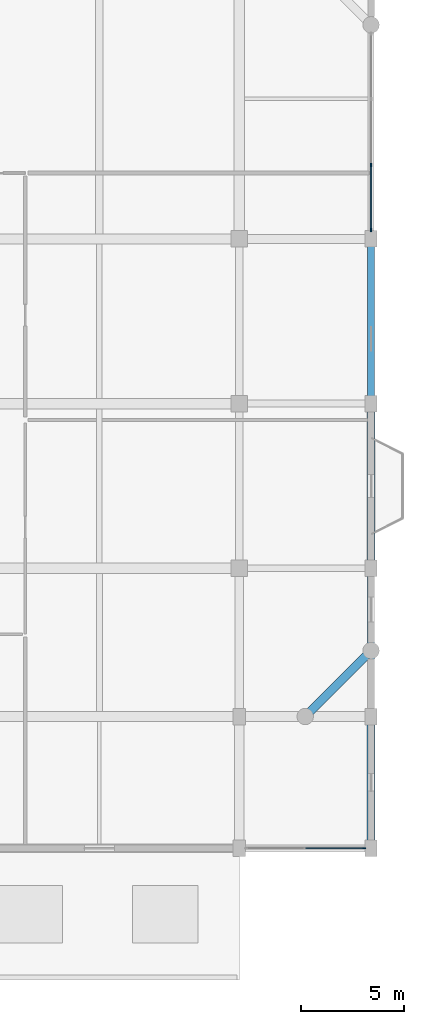
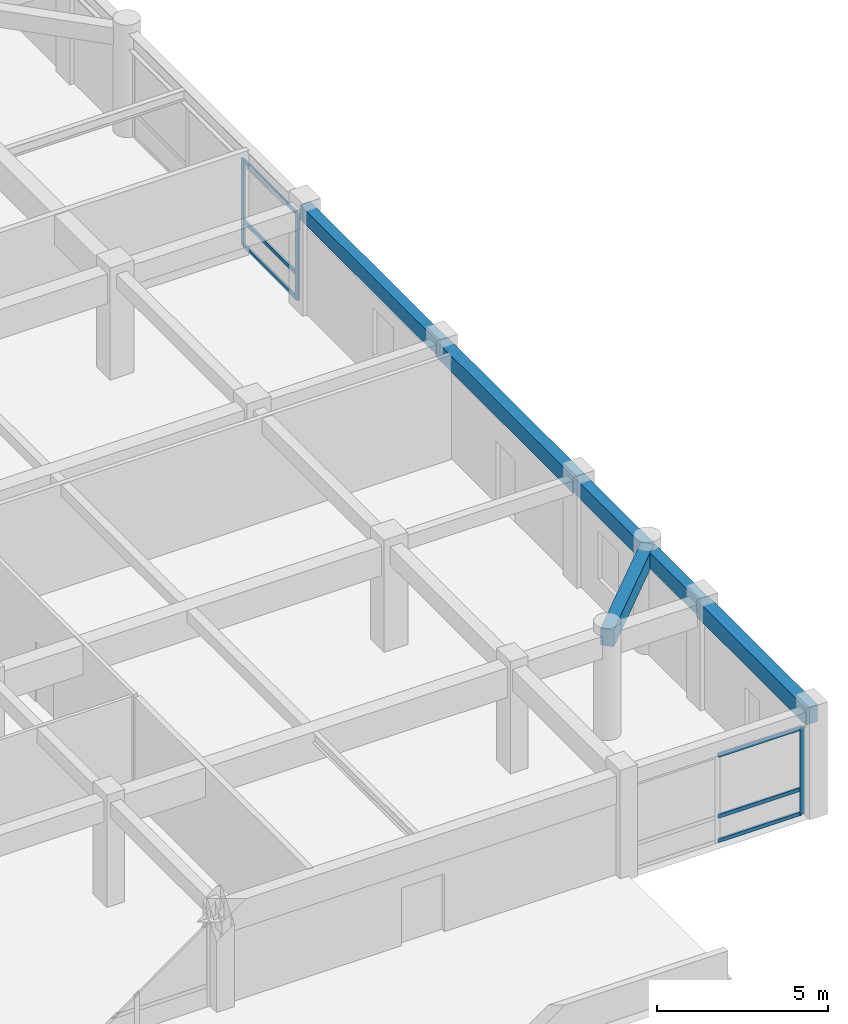
# One storey, part 12 of 20: 9 members, 5 beams, 2 elements without a shape of their own.
"""IFC4 building model written with IfcOpenShell, lengths in metres."""

from ifc_helpers import new_model, si_unit, direction, frame, origin, origin_2d, place, context, subcontext, project, spatial, rectangle, extrude, material, material_profile, profile_set, type_object, element, aggregate, save


model = new_model("IFC4")

# Units and contexts
model_context = context("Model", 3, precision=1e-05, world=origin(), true_north=direction((0.0, 1.0)))
body_context = subcontext(model_context, "Body", "Model", "MODEL_VIEW")
ifc_project = project(units=[si_unit("LENGTHUNIT", "METRE"), si_unit("AREAUNIT", "SQUARE_METRE"), si_unit("VOLUMEUNIT", "CUBIC_METRE"), si_unit("PLANEANGLEUNIT", "RADIAN"), si_unit("MASSUNIT", "GRAM", prefix="KILO")], contexts=[model_context])

# Site, building, storey
site_placement = place(None, origin())
site = spatial("IfcSite", under=ifc_project, at=site_placement, CompositionType="ELEMENT")
building_placement = place(site_placement, origin())
building = spatial("IfcBuilding", under=site, at=building_placement, Name="Vellmiral Cinema and Media Centre", CompositionType="ELEMENT")
storey_placement = place(building_placement, frame((0.0, 0.0, 23.800048828125)))
storey = spatial("IfcBuildingStorey", under=building, at=storey_placement, Name="L05", CompositionType="ELEMENT", Elevation=23.800048828125)

# Curtain wall, member
ifc_material_1 = material(Name="Thermally Broken Aluminium and Triple Glazing", Category="aluminium")
curtain_wall_type = type_object("IfcCurtainWallType", Name="CW-TOWER-LOW-S", PredefinedType="USERDEFINED", material=ifc_material_1)
curtain_wall_1_placement = place(storey_placement, origin())
curtain_wall_1 = element("IfcCurtainWall", 1, at=curtain_wall_1_placement, inside=storey, type_object=curtain_wall_type, Name="Curtain Wall L05-B008", ObjectType="UNITISED CURTAIN WALL", PredefinedType="USERDEFINED")
ifc_material_2 = material(Name="Thermally Broken Anodised Aluminium", Category="aluminium")
ifc_material_profile_1 = material_profile(ifc_material_2, rectangle(XDim=0.06494140625, YDim=0.159912109375, at=origin_2d()), Name="MULL 65x160")
ifc_profile_set_1 = profile_set([ifc_material_profile_1], Name="Thermally Broken Anodised Aluminium")
member_type_1 = type_object("IfcMemberType", Name="CWM-65x160", PredefinedType="MULLION", material=ifc_profile_set_1)
member_1_placement = place(storey_placement, frame((167.66748046875, 65.60009765625, 0.0), z_axis=(0.0, 0.0, 1.0), x_axis=(0.0, 1.0, 0.0)))
member_1 = element("IfcMember", 2, at=member_1_placement, type_object=member_type_1, Name="CW-06 mullion 3", PredefinedType="MULLION", context=body_context, shape_type="SweptSolid", body=[
    extrude(rectangle(XDim=0.06494140625, YDim=0.159912109375, at=origin_2d()), origin(), (0.0, 0.0, 1.0), 3.099853515625),
])

# Curtain wall, members
curtain_wall_2_placement = place(storey_placement, origin())
curtain_wall_2 = element("IfcCurtainWall", 3, at=curtain_wall_2_placement, inside=storey, type_object=curtain_wall_type, Name="Curtain Wall L05-B014", ObjectType="UNITISED CURTAIN WALL", PredefinedType="USERDEFINED")
member_2_placement = place(storey_placement, frame((168.0, 95.632568359375, 0.0), z_axis=(0.0, 0.0, 1.0), x_axis=(-1.0, 0.0, 0.0)))
member_2 = element("IfcMember", 4, at=member_2_placement, type_object=member_type_1, Name="CW-06 mullion 1", PredefinedType="MULLION", context=body_context, shape_type="SweptSolid", body=[
    extrude(rectangle(XDim=0.06494140625, YDim=0.159912109375, at=origin_2d()), origin(), (0.0, 0.0, 1.0), 3.0849609375),
])
member_3_placement = place(storey_placement, frame((168.0, 98.800048828125, 0.0), z_axis=(0.0, 0.0, 1.0), x_axis=(-1.0, 0.0, 0.0)))
member_3 = element("IfcMember", 5, at=member_3_placement, type_object=member_type_1, Name="CW-06 mullion 2", PredefinedType="MULLION", context=body_context, shape_type="SweptSolid", body=[
    extrude(rectangle(XDim=0.06494140625, YDim=0.159912109375, at=origin_2d()), origin(), (0.0, 0.0, 1.0), 3.0849609375),
])

# Member
ifc_material_3 = material(Name="Thermally Broken Anodised Aluminium", Category="aluminium")
ifc_material_profile_2 = material_profile(ifc_material_3, rectangle(XDim=0.06494140625, YDim=0.135009765625, at=origin_2d()), Name="MULL 65x135")
ifc_profile_set_2 = profile_set([ifc_material_profile_2], Name="Thermally Broken Anodised Aluminium")
member_type_2 = type_object("IfcMemberType", Name="CWT-65x135", PredefinedType="USERDEFINED", material=ifc_profile_set_2)
member_4_placement = place(storey_placement, frame((164.83251953125, 65.60009765625, 0.032470703125), z_axis=(1.0, 0.0, 0.0), x_axis=(0.0, 1.0, 0.0)))
member_4 = element("IfcMember", 6, at=member_4_placement, type_object=member_type_2, Name="CW-06 transom 2.1", ObjectType="TRANSOM", PredefinedType="USERDEFINED", context=body_context, shape_type="SweptSolid", body=[
    extrude(rectangle(XDim=0.06494140625, YDim=0.135009765625, at=origin_2d()), origin(), (0.0, 0.0, 1.0), 2.802490234375),
])

member_5_placement = place(storey_placement, frame((164.83251953125, 65.60009765625, 0.89990234375), z_axis=(1.0, 0.0, 0.0), x_axis=(0.0, 1.0, 0.0)))
member_5 = element("IfcMember", 7, at=member_5_placement, type_object=member_type_2, Name="CW-06 transom 2.2", ObjectType="TRANSOM", PredefinedType="USERDEFINED", context=body_context, shape_type="SweptSolid", body=[
    extrude(rectangle(XDim=0.06494140625, YDim=0.135009765625, at=origin_2d()), origin(), (0.0, 0.0, 1.0), 2.802490234375),
])

member_6_placement = place(storey_placement, frame((164.83251953125, 65.60009765625, 3.0673828125), z_axis=(1.0, 0.0, 0.0), x_axis=(0.0, 1.0, 0.0)))
member_6 = element("IfcMember", 8, at=member_6_placement, type_object=member_type_2, Name="CW-06 transom 2.3", ObjectType="TRANSOM", PredefinedType="USERDEFINED", context=body_context, shape_type="SweptSolid", body=[
    extrude(rectangle(XDim=0.06494140625, YDim=0.135009765625, at=origin_2d()), origin(), (0.0, 0.0, 1.0), 2.802490234375),
])

aggregate(curtain_wall_1, [member_1, member_4, member_5, member_6])

member_7_placement = place(storey_placement, frame((168.0, 95.6650390625, 0.032470703125), z_axis=(0.0, 1.0, 0.0), x_axis=(-1.0, 0.0, 0.0)))
member_7 = element("IfcMember", 9, at=member_7_placement, type_object=member_type_2, Name="CW-06 transom 1.1", ObjectType="TRANSOM", PredefinedType="USERDEFINED", context=body_context, shape_type="SweptSolid", body=[
    extrude(rectangle(XDim=0.06494140625, YDim=0.135009765625, at=origin_2d()), origin(), (0.0, 0.0, 1.0), 3.1025390625),
])

member_8_placement = place(storey_placement, frame((168.0, 95.6650390625, 0.89990234375), z_axis=(0.0, 1.0, 0.0), x_axis=(-1.0, 0.0, 0.0)))
member_8 = element("IfcMember", 10, at=member_8_placement, type_object=member_type_2, Name="CW-06 transom 1.2", ObjectType="TRANSOM", PredefinedType="USERDEFINED", context=body_context, shape_type="SweptSolid", body=[
    extrude(rectangle(XDim=0.06494140625, YDim=0.135009765625, at=origin_2d()), origin(), (0.0, 0.0, 1.0), 3.1025390625),
])

member_9_placement = place(storey_placement, frame((168.0, 95.6650390625, 3.052490234375), z_axis=(0.0, 1.0, 0.0), x_axis=(-1.0, 0.0, 0.0)))
member_9 = element("IfcMember", 11, at=member_9_placement, type_object=member_type_2, Name="CW-06 transom 1.3", ObjectType="TRANSOM", PredefinedType="USERDEFINED", context=body_context, shape_type="SweptSolid", body=[
    extrude(rectangle(XDim=0.06494140625, YDim=0.135009765625, at=origin_2d()), origin(), (0.0, 0.0, 1.0), 3.1025390625),
])

aggregate(curtain_wall_2, [member_2, member_3, member_7, member_8, member_9])

# Beams
ifc_material_4 = material(Name="Concrete C40/50", Category="concrete")
ifc_material_profile_3 = material_profile(ifc_material_4, rectangle(XDim=0.35009765625, YDim=0.56005859375, at=origin_2d()), Name="RC 350x560")
ifc_profile_set_3 = profile_set([ifc_material_profile_3], Name="Concrete C40/50")
beam_type_1 = type_object("IfcBeamType", Name="SPD-RC-350x560", PredefinedType="SPANDREL", material=ifc_profile_set_3)
beam_1_placement = place(storey_placement, frame((168.0, 72.0, 3.4150390625), z_axis=(0.0, 1.0, 0.0), x_axis=(-1.0, 0.0, 0.0)))
element("IfcBeam", 12, at=beam_1_placement, inside=storey, type_object=beam_type_1, Name="Grid Beam L05-Y101", PredefinedType="SPANDREL", context=body_context, shape_type="SweptSolid", body=[
    extrude(rectangle(XDim=0.35009765625, YDim=0.56005859375, at=origin_2d()), origin(), (0.0, 0.0, 1.0), 7.199951171875),
])
ifc_material_5 = material(Name="Concrete C40/50", Category="concrete")
ifc_material_profile_4 = material_profile(ifc_material_5, rectangle(XDim=0.39990234375, YDim=0.60009765625, at=origin_2d()), Name="RC 400x600")
ifc_profile_set_4 = profile_set([ifc_material_profile_4], Name="Concrete C40/50")
beam_type_2 = type_object("IfcBeamType", Name="SPD-RC-400x600", PredefinedType="SPANDREL", material=ifc_profile_set_4)
beam_2_placement = place(storey_placement, frame((168.0, 65.60009765625, 3.39501953125), z_axis=(0.0, 1.0, 0.0), x_axis=(-1.0, 0.0, 0.0)))
element("IfcBeam", 13, at=beam_2_placement, inside=storey, type_object=beam_type_2, Name="Grid Beam L05-Y100", PredefinedType="SPANDREL", context=body_context, shape_type="SweptSolid", body=[
    extrude(rectangle(XDim=0.39990234375, YDim=0.60009765625, at=origin_2d()), origin(), (0.0, 0.0, 1.0), 6.39990234375),
])
beam_3_placement = place(storey_placement, frame((164.800048828125, 72.0, 3.39501953125), z_axis=(0.707106781187, 0.707106781187, 0.0), x_axis=(-0.707106781187, 0.707106781187, 0.0)))
element("IfcBeam", 14, at=beam_3_placement, inside=storey, type_object=beam_type_2, Name="Xamfra Chamfer Spandrel Beam L05-107", PredefinedType="SPANDREL", context=body_context, shape_type="SweptSolid", body=[
    extrude(rectangle(XDim=0.39990234375, YDim=0.60009765625, at=origin_2d()), origin(), (0.0, 0.0, 1.0), 4.525390625),
])
ifc_material_6 = material(Name="Vosges Red Sandstone Masonry", Category="masonry")
ifc_material_profile_5 = material_profile(ifc_material_6, rectangle(XDim=0.340087890625, YDim=0.52001953125, at=origin_2d()), Name="SAND 340x520")
ifc_profile_set_5 = profile_set([ifc_material_profile_5], Name="Vosges Red Sandstone Masonry")
beam_type_3 = type_object("IfcBeamType", Name="SPD-SAND-340x520", PredefinedType="SPANDREL", material=ifc_profile_set_5)
beam_4_placement = place(storey_placement, frame((168.0, 87.199951171875, 3.43505859375), z_axis=(0.0, 1.0, 0.0), x_axis=(-1.0, 0.0, 0.0)))
element("IfcBeam", 15, at=beam_4_placement, inside=storey, type_object=beam_type_3, Name="Grid Beam L05-Y103", PredefinedType="SPANDREL", context=body_context, shape_type="SweptSolid", body=[
    extrude(rectangle(XDim=0.340087890625, YDim=0.52001953125, at=origin_2d()), origin(), (0.0, 0.0, 1.0), 8.0),
])
ifc_material_7 = material(Name="Vosges Red Sandstone Masonry", Category="masonry")
ifc_material_profile_6 = material_profile(ifc_material_7, rectangle(XDim=0.3798828125, YDim=0.580078125, at=origin_2d()), Name="SAND 380x580")
ifc_profile_set_6 = profile_set([ifc_material_profile_6], Name="Vosges Red Sandstone Masonry")
beam_type_4 = type_object("IfcBeamType", Name="SPD-SAND-380x580", PredefinedType="SPANDREL", material=ifc_profile_set_6)
beam_5_placement = place(storey_placement, frame((168.0, 79.199951171875, 3.405029296875), z_axis=(0.0, 1.0, 0.0), x_axis=(-1.0, 0.0, 0.0)))
element("IfcBeam", 16, at=beam_5_placement, inside=storey, type_object=beam_type_4, Name="Grid Beam L05-Y102", PredefinedType="SPANDREL", context=body_context, shape_type="SweptSolid", body=[
    extrude(rectangle(XDim=0.3798828125, YDim=0.580078125, at=origin_2d()), origin(), (0.0, 0.0, 1.0), 8.0),
])

save(model, "model.ifc")
